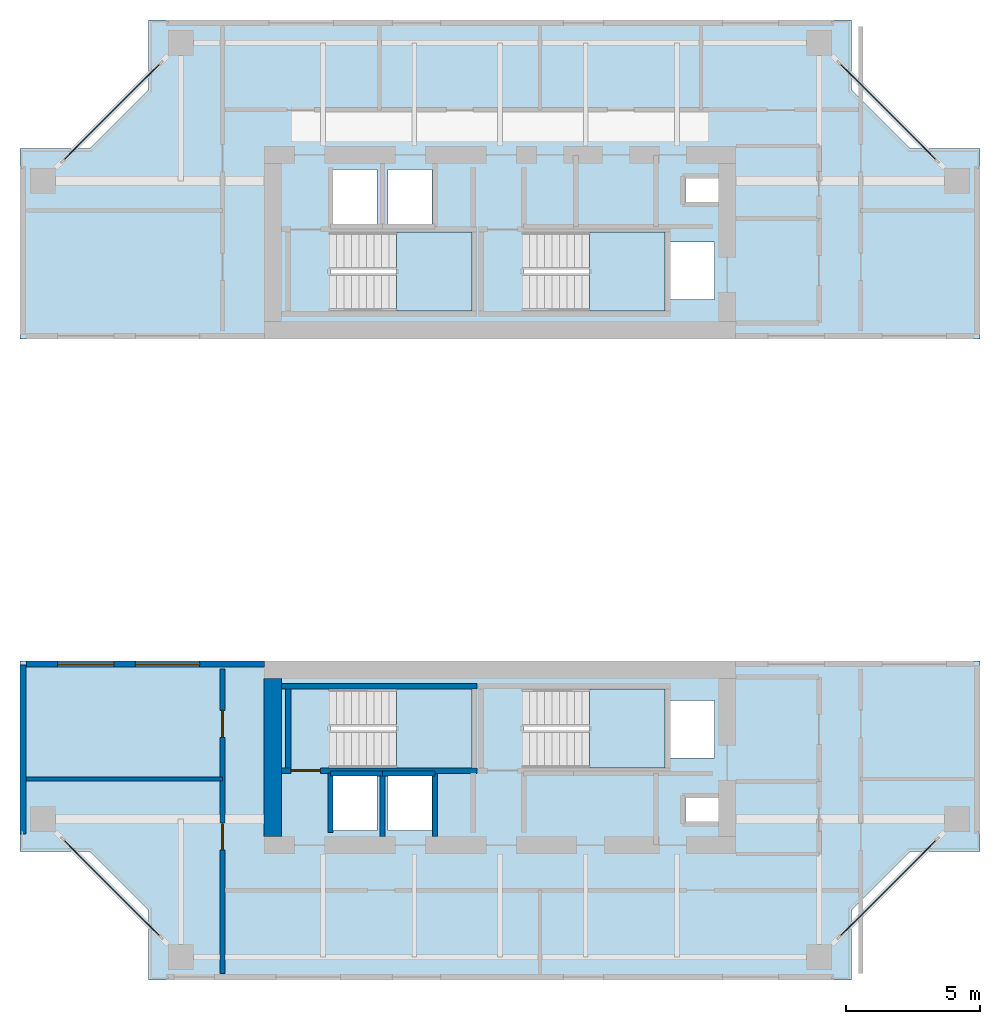
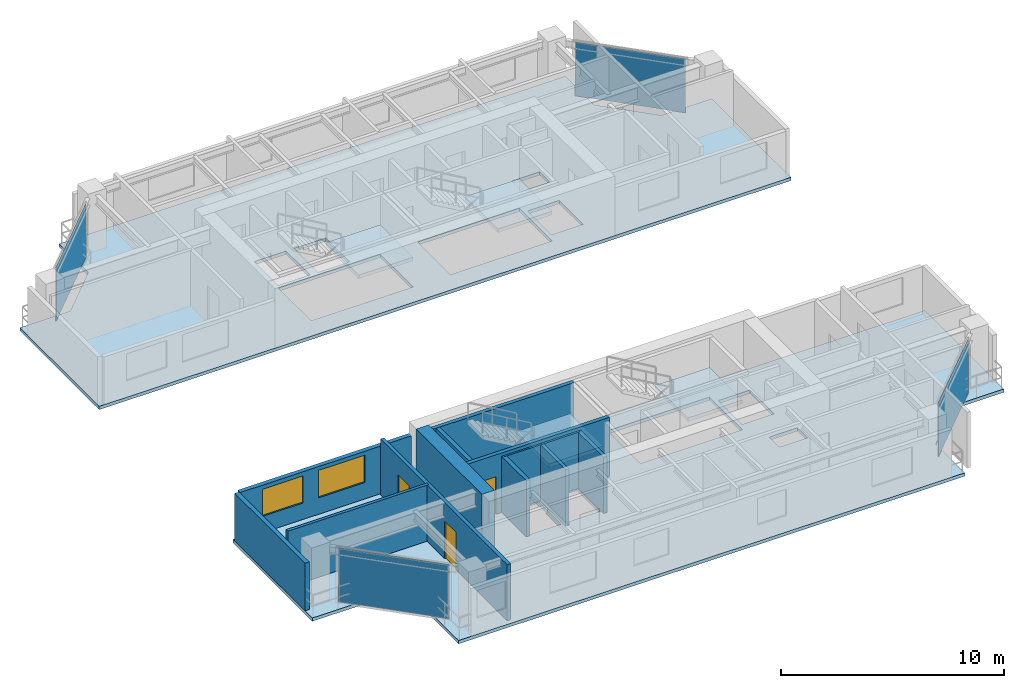
# One storey, part 6 of 12: 13 walls, 6 slabs, 4 plates, 3 doors, 2 windows, 5 openings, 8 elements without a shape of their own.
"""IFC4 building model written with IfcOpenShell, lengths in metres."""

from ifc_helpers import new_model, si_unit, direction, frame, frame_2d, origin, origin_2d, place, context, subcontext, project, spatial, polyline, rectangle, outline, extrude, source, transform, mapped, material, layer, layer_set, type_object, element, fill, aggregate, save


model = new_model("IFC4")

# Units and contexts
model_context = context("Model", 3, precision=1e-05, world=origin(), true_north=direction((0.0, 1.0)))
body_context = subcontext(model_context, "Body", "Model", "MODEL_VIEW")
ifc_project = project(units=[si_unit("LENGTHUNIT", "METRE"), si_unit("AREAUNIT", "SQUARE_METRE"), si_unit("VOLUMEUNIT", "CUBIC_METRE"), si_unit("PLANEANGLEUNIT", "RADIAN"), si_unit("MASSUNIT", "GRAM", prefix="KILO"), si_unit("THERMODYNAMICTEMPERATUREUNIT", "KELVIN"), si_unit("POWERUNIT", "WATT")], contexts=[model_context])

# Site, building, storey
site_placement = place(None, origin())
site = spatial("IfcSite", under=ifc_project, at=site_placement, CompositionType="ELEMENT")
building_placement = place(site_placement, origin())
building = spatial("IfcBuilding", under=site, at=building_placement, Name="Qiaomeng Ring Towers", CompositionType="ELEMENT")
storey_placement = place(building_placement, frame((0.0, 0.0, 166.5)))
storey = spatial("IfcBuildingStorey", under=building, at=storey_placement, Name="L48", CompositionType="ELEMENT", Elevation=166.5)

# Slabs
ifc_material_1 = material(Name="Concrete C40", Category="concrete")
ifc_layer_1 = layer(ifc_material_1, 0.179931640625, Name="Concrete C40")
ifc_layer_set_1 = layer_set([ifc_layer_1], Name="Concrete C40")
slab_type_1 = type_object("IfcSlabType", Name="STR-SL-180", PredefinedType="FLOOR", material=ifc_layer_set_1)
slab_1_placement = place(storey_placement, frame((0.0, 0.0, -0.179931640625)))
element("IfcSlab", 1, at=slab_1_placement, inside=storey, type_object=slab_type_1, Name="L48 Tower 1 North Portal Wing Slab", PredefinedType="FLOOR", context=body_context, shape_type="SweptSolid", body=[
    extrude(outline(polyline([(1.10009765625, 36.10009765625), (3.699951171875, 36.10009765625), (5.89990234375, 38.300048828125), (5.89990234375, 40.89990234375), (32.10009765625, 40.89990234375), (32.10009765625, 38.300048828125), (34.300048828125, 36.10009765625), (36.89990234375, 36.10009765625), (36.89990234375, 29.0), (1.10009765625, 29.0), (1.10009765625, 36.10009765625)]), holes=[polyline([(17.949951171875, 30.050048828125), (12.679931640625, 30.050048828125), (12.679931640625, 32.989990234375), (17.949951171875, 32.989990234375), (17.949951171875, 30.050048828125)]), polyline([(19.8798828125, 30.050048828125), (19.8798828125, 32.989990234375), (25.14990234375, 32.989990234375), (25.14990234375, 30.050048828125), (19.8798828125, 30.050048828125)]), polyline([(25.360107421875, 30.47998046875), (25.360107421875, 32.6201171875), (27.0, 32.6201171875), (27.0, 30.47998046875), (25.360107421875, 30.47998046875)]), polyline([(14.419921875, 33.179931640625), (12.780029296875, 33.179931640625), (12.780029296875, 35.320068359375), (14.419921875, 35.320068359375), (14.419921875, 33.179931640625)]), polyline([(14.830078125, 33.179931640625), (14.830078125, 35.320068359375), (16.469970703125, 35.320068359375), (16.469970703125, 33.179931640625), (14.830078125, 33.179931640625)]), polyline([(25.919921875, 34.10009765625), (25.919921875, 35.0), (27.360107421875, 35.0), (27.360107421875, 34.10009765625), (25.919921875, 34.10009765625)])]), origin(), (0.0, 0.0, 1.0), 0.179931640625),
])
slab_2_placement = place(storey_placement, frame((0.0, 0.0, -0.179931640625)))
element("IfcSlab", 2, at=slab_2_placement, inside=storey, type_object=slab_type_1, Name="L48 Tower 1 South Portal Wing Slab", PredefinedType="FLOOR", context=body_context, shape_type="SweptSolid", body=[
    extrude(outline(polyline([(36.89990234375, 9.89990234375), (34.300048828125, 9.89990234375), (32.10009765625, 7.699951171875), (32.10009765625, 5.10009765625), (5.89990234375, 5.10009765625), (5.89990234375, 7.699951171875), (3.699951171875, 9.89990234375), (1.10009765625, 9.89990234375), (1.10009765625, 17.0), (36.89990234375, 17.0), (36.89990234375, 9.89990234375)]), holes=[polyline([(27.360107421875, 11.0), (25.919921875, 11.0), (25.919921875, 11.89990234375), (27.360107421875, 11.89990234375), (27.360107421875, 11.0)]), polyline([(12.780029296875, 10.679931640625), (12.780029296875, 12.820068359375), (14.419921875, 12.820068359375), (14.419921875, 10.679931640625), (12.780029296875, 10.679931640625)]), polyline([(14.830078125, 10.679931640625), (14.830078125, 12.820068359375), (16.469970703125, 12.820068359375), (16.469970703125, 10.679931640625), (14.830078125, 10.679931640625)]), polyline([(27.0, 13.3798828125), (25.360107421875, 13.3798828125), (25.360107421875, 15.52001953125), (27.0, 15.52001953125), (27.0, 13.3798828125)]), polyline([(12.679931640625, 13.010009765625), (12.679931640625, 15.949951171875), (17.949951171875, 15.949951171875), (17.949951171875, 13.010009765625), (12.679931640625, 13.010009765625)]), polyline([(19.8798828125, 13.010009765625), (19.8798828125, 15.949951171875), (25.14990234375, 15.949951171875), (25.14990234375, 13.010009765625), (19.8798828125, 13.010009765625)])]), origin(), (0.0, 0.0, 1.0), 0.179931640625),
])

# Stair, slab
ifc_material_2 = material(Name="Precast concrete C40", Category="concrete")
stair_type = type_object("IfcStairType", Name="ARC-ST-325", PredefinedType="HALF_TURN_STAIR", material=ifc_material_2)
stair_1_placement = place(storey_placement, origin())
stair_1 = element("IfcStair", 3, at=stair_1_placement, inside=storey, type_object=stair_type, Name="L48 Tower 1 North Stair 1", PredefinedType="HALF_TURN_STAIR")
ifc_layer_2 = layer(ifc_material_1, 0.199951171875, Name="Concrete C40")
ifc_layer_set_2 = layer_set([ifc_layer_2], Name="Concrete C40")
slab_type_2 = type_object("IfcSlabType", Name="STR-SL-LANDING", PredefinedType="LANDING", material=ifc_layer_set_2)
slab_3_placement = place(storey_placement, frame((0.0, 0.0, 1.425048828125)))
slab_3 = element("IfcSlab", 4, at=slab_3_placement, type_object=slab_type_2, Name="ST1 landing 1", PredefinedType="LANDING", context=body_context, shape_type="SweptSolid", body=[
    extrude(outline(polyline([(15.139892578125, 30.050048828125), (17.949951171875, 30.050048828125), (17.949951171875, 32.989990234375), (15.139892578125, 32.989990234375), (15.139892578125, 30.050048828125)])), origin(), (0.0, 0.0, 1.0), 0.199951171875),
])
aggregate(stair_1, [slab_3])

stair_2_placement = place(storey_placement, origin())
stair_2 = element("IfcStair", 5, at=stair_2_placement, inside=storey, type_object=stair_type, Name="L48 Tower 1 North Stair 2", PredefinedType="HALF_TURN_STAIR")
slab_4_placement = place(storey_placement, frame((0.0, 0.0, 1.425048828125)))
slab_4 = element("IfcSlab", 6, at=slab_4_placement, type_object=slab_type_2, Name="ST2 landing 1", PredefinedType="LANDING", context=body_context, shape_type="SweptSolid", body=[
    extrude(outline(polyline([(22.340087890625, 30.050048828125), (25.14990234375, 30.050048828125), (25.14990234375, 32.989990234375), (22.340087890625, 32.989990234375), (22.340087890625, 30.050048828125)])), origin(), (0.0, 0.0, 1.0), 0.199951171875),
])
aggregate(stair_2, [slab_4])

stair_3_placement = place(storey_placement, origin())
stair_3 = element("IfcStair", 7, at=stair_3_placement, inside=storey, type_object=stair_type, Name="L48 Tower 1 South Stair 3", PredefinedType="HALF_TURN_STAIR")
slab_5_placement = place(storey_placement, frame((0.0, 0.0, 1.425048828125)))
slab_5 = element("IfcSlab", 8, at=slab_5_placement, type_object=slab_type_2, Name="ST3 landing 1", PredefinedType="LANDING", context=body_context, shape_type="SweptSolid", body=[
    extrude(outline(polyline([(15.139892578125, 13.010009765625), (17.949951171875, 13.010009765625), (17.949951171875, 15.949951171875), (15.139892578125, 15.949951171875), (15.139892578125, 13.010009765625)])), origin(), (0.0, 0.0, 1.0), 0.199951171875),
])
aggregate(stair_3, [slab_5])

stair_4_placement = place(storey_placement, origin())
stair_4 = element("IfcStair", 9, at=stair_4_placement, inside=storey, type_object=stair_type, Name="L48 Tower 1 South Stair 4", PredefinedType="HALF_TURN_STAIR")
slab_6_placement = place(storey_placement, frame((0.0, 0.0, 1.425048828125)))
slab_6 = element("IfcSlab", 10, at=slab_6_placement, type_object=slab_type_2, Name="ST4 landing 1", PredefinedType="LANDING", context=body_context, shape_type="SweptSolid", body=[
    extrude(outline(polyline([(22.340087890625, 13.010009765625), (25.14990234375, 13.010009765625), (25.14990234375, 15.949951171875), (22.340087890625, 15.949951171875), (22.340087890625, 13.010009765625)])), origin(), (0.0, 0.0, 1.0), 0.199951171875),
])
aggregate(stair_4, [slab_6])

# Curtain wall, plate
ifc_material_3 = material(Name="Fluorocarbon dark-grey aluminium", Category="aluminium")
ifc_layer_3 = layer(ifc_material_3, 0.14990234375, Name="Fluorocarbon dark-grey aluminium")
ifc_layer_set_3 = layer_set([ifc_layer_3], Name="Fluorocarbon dark-grey aluminium")
curtain_wall_type = type_object("IfcCurtainWallType", Name="ARC-CW-3", PredefinedType="NOTDEFINED", material=ifc_layer_set_3)
curtain_wall_1_placement = place(storey_placement, origin())
curtain_wall_1 = element("IfcCurtainWall", 11, at=curtain_wall_1_placement, inside=storey, type_object=curtain_wall_type, Name="L48 Curtain Wall CW3", PredefinedType="NOTDEFINED")
ifc_material_4 = material(Name="Low-E dark-grey laminated double glazing", Category="glass")
ifc_layer_4 = layer(ifc_material_4, 0.028076171875, Name="Low-E dark-grey laminated double glazing")
ifc_layer_set_4 = layer_set([ifc_layer_4], Name="Low-E dark-grey laminated double glazing")
plate_type = type_object("IfcPlateType", Name="ARC-CWP-DARK", PredefinedType="CURTAIN_PANEL", material=ifc_layer_set_4)
shared_shape_1 = source(origin(), body_context, "Body", "SweptSolid", [
    extrude(rectangle(XDim=5.120849609375, YDim=0.028076171875, at=origin_2d()), origin(), (0.0, 0.0, 1.0), 2.93994140625),
])
plate_1_placement = place(storey_placement, frame((33.47509765625, 8.52490234375, 0.06494140625), z_axis=(0.0, 0.0, 1.0), x_axis=(0.707106781187, 0.707106781187, 0.0)))
plate_1 = element("IfcPlate", 12, at=plate_1_placement, type_object=plate_type, Name="CW3 panel 1.1", PredefinedType="CURTAIN_PANEL", context=body_context, shape_type="MappedRepresentation", body=[
    mapped(shared_shape_1, transform((0.0, 0.0, 0.0), x_axis=(1.0, 0.0, 0.0), y_axis=(0.0, 1.0, 0.0), z_axis=(0.0, 0.0, 1.0), scale=1.0)),
])
aggregate(curtain_wall_1, [plate_1])

curtain_wall_2_placement = place(storey_placement, origin())
curtain_wall_2 = element("IfcCurtainWall", 13, at=curtain_wall_2_placement, inside=storey, type_object=curtain_wall_type, Name="L48 Curtain Wall CW3", PredefinedType="NOTDEFINED")
plate_2_placement = place(storey_placement, frame((33.47509765625, 37.47509765625, 0.06494140625), z_axis=(0.0, 0.0, 1.0), x_axis=(-0.707106781187, 0.707106781187, 0.0)))
plate_2 = element("IfcPlate", 14, at=plate_2_placement, type_object=plate_type, Name="CW3 panel 1.1", PredefinedType="CURTAIN_PANEL", context=body_context, shape_type="MappedRepresentation", body=[
    mapped(shared_shape_1, transform((0.0, 0.0, 0.0), x_axis=(1.0, 0.0, 0.0), y_axis=(0.0, 1.0, 0.0), z_axis=(0.0, 0.0, 1.0), scale=1.0)),
])
aggregate(curtain_wall_2, [plate_2])

curtain_wall_3_placement = place(storey_placement, origin())
curtain_wall_3 = element("IfcCurtainWall", 15, at=curtain_wall_3_placement, inside=storey, type_object=curtain_wall_type, Name="L48 Curtain Wall CW3", PredefinedType="NOTDEFINED")
plate_3_placement = place(storey_placement, frame((4.52490234375, 37.47509765625, 0.06494140625), z_axis=(0.0, 0.0, 1.0), x_axis=(-0.707106781187, -0.707106781187, 0.0)))
plate_3 = element("IfcPlate", 16, at=plate_3_placement, type_object=plate_type, Name="CW3 panel 1.1", PredefinedType="CURTAIN_PANEL", context=body_context, shape_type="MappedRepresentation", body=[
    mapped(shared_shape_1, transform((0.0, 0.0, 0.0), x_axis=(1.0, 0.0, 0.0), y_axis=(0.0, 1.0, 0.0), z_axis=(0.0, 0.0, 1.0), scale=1.0)),
])
aggregate(curtain_wall_3, [plate_3])

curtain_wall_4_placement = place(storey_placement, origin())
curtain_wall_4 = element("IfcCurtainWall", 17, at=curtain_wall_4_placement, inside=storey, type_object=curtain_wall_type, Name="L48 Curtain Wall CW3", PredefinedType="NOTDEFINED")
plate_4_placement = place(storey_placement, frame((4.52490234375, 8.52490234375, 0.06494140625), z_axis=(0.0, 0.0, 1.0), x_axis=(0.707106781187, -0.707106781187, 0.0)))
plate_4 = element("IfcPlate", 18, at=plate_4_placement, type_object=plate_type, Name="CW3 panel 1.1", PredefinedType="CURTAIN_PANEL", context=body_context, shape_type="MappedRepresentation", body=[
    mapped(shared_shape_1, transform((0.0, 0.0, 0.0), x_axis=(1.0, 0.0, 0.0), y_axis=(0.0, 1.0, 0.0), z_axis=(0.0, 0.0, 1.0), scale=1.0)),
])
aggregate(curtain_wall_4, [plate_4])

# Wall, openings, windows
ifc_layer_5 = layer(ifc_material_2, 0.219970703125, Name="Precast concrete C40")
ifc_layer_set_5 = layer_set([ifc_layer_5], Name="Precast concrete C40")
wall_type_1 = type_object("IfcWallType", Name="ARC-WL-EW2", PredefinedType="STANDARD", material=ifc_layer_set_5)
wall_1_placement = place(storey_placement, frame((1.35009765625, 16.889892578125, 0.0), z_axis=(0.0, 0.0, 1.0), x_axis=(1.0, 0.0, 0.0)))
wall_1 = element("IfcWall", 19, at=wall_1_placement, inside=storey, type_object=wall_type_1, Name="L48 Portal Wing Wall SWING-W", PredefinedType="STANDARD", context=body_context, shape_type="SweptSolid", body=[
    extrude(rectangle(XDim=8.869873046875, YDim=0.219970703125, at=frame_2d((4.43505859375, 0.0))), origin(), (0.0, 0.0, 1.0), 2.610107421875),
])
opening_1_placement = place(wall_1_placement, frame((1.14990234375, 0.0, 0.89990234375)))
opening_1 = element("IfcOpeningElement", 20, at=opening_1_placement, cuts=wall_1, Name="Opening WN4", PredefinedType="OPENING", context=body_context, shape_type="SweptSolid", body=[
    extrude(rectangle(XDim=2.10009765625, YDim=1.47998046875, at=frame_2d((1.050048828125, 0.739990234375))), frame((0.0, 0.119873046875, 0.0), z_axis=(0.0, -1.0, 0.0), x_axis=(1.0, 0.0, 0.0)), (0.0, 0.0, 1.0), 0.239990234375),
])
opening_2_placement = place(wall_1_placement, frame((4.050048828125, 0.0, 0.89990234375)))
opening_2 = element("IfcOpeningElement", 21, at=opening_2_placement, cuts=wall_1, Name="Opening WN6", PredefinedType="OPENING", context=body_context, shape_type="SweptSolid", body=[
    extrude(rectangle(XDim=2.39990234375, YDim=1.5, at=frame_2d((1.199951171875, 0.75))), frame((0.0, 0.119873046875, 0.0), z_axis=(0.0, -1.0, 0.0), x_axis=(1.0, 0.0, 0.0)), (0.0, 0.0, 1.0), 0.239990234375),
])
window_type_1 = type_object("IfcWindowType", Name="ARC-WN-4", PartitioningType="TRIPLE_PANEL_VERTICAL", PredefinedType="WINDOW", material=ifc_material_4)
shared_shape_2 = source(origin(), body_context, "Body", "SweptSolid", [
    extrude(rectangle(XDim=2.10009765625, YDim=1.47998046875, at=frame_2d((1.050048828125, 0.739990234375))), frame((0.0, 0.030029296875, 0.0), z_axis=(0.0, -1.0, 0.0), x_axis=(1.0, 0.0, 0.0)), (0.0, 0.0, 1.0), 0.06005859375),
])
window_1_placement = place(opening_1_placement, origin())
window_1 = element("IfcWindow", 22, at=window_1_placement, inside=storey, type_object=window_type_1, Name="L48 Exterior Window WN4", OverallHeight=1.47998046875, OverallWidth=2.10009765625, PartitioningType="TRIPLE_PANEL_VERTICAL", PredefinedType="WINDOW", context=body_context, shape_type="MappedRepresentation", body=[
    mapped(shared_shape_2, transform((0.0, 0.0, 0.0), x_axis=(1.0, 0.0, 0.0), y_axis=(0.0, 1.0, 0.0), z_axis=(0.0, 0.0, 1.0), scale=1.0)),
])
fill(opening_1, window_1)
window_type_2 = type_object("IfcWindowType", Name="ARC-WN-6", PartitioningType="TRIPLE_PANEL_VERTICAL", PredefinedType="WINDOW", material=ifc_material_4)
shared_shape_3 = source(origin(), body_context, "Body", "SweptSolid", [
    extrude(rectangle(XDim=2.39990234375, YDim=1.5, at=frame_2d((1.199951171875, 0.75))), frame((0.0, 0.030029296875, 0.0), z_axis=(0.0, -1.0, 0.0), x_axis=(1.0, 0.0, 0.0)), (0.0, 0.0, 1.0), 0.06005859375),
])
window_2_placement = place(opening_2_placement, origin())
window_2 = element("IfcWindow", 23, at=window_2_placement, inside=storey, type_object=window_type_2, Name="L48 Exterior Window WN6", OverallHeight=1.5, OverallWidth=2.39990234375, PartitioningType="TRIPLE_PANEL_VERTICAL", PredefinedType="WINDOW", context=body_context, shape_type="MappedRepresentation", body=[
    mapped(shared_shape_3, transform((0.0, 0.0, 0.0), x_axis=(1.0, 0.0, 0.0), y_axis=(0.0, 1.0, 0.0), z_axis=(0.0, 0.0, 1.0), scale=1.0)),
])
fill(opening_2, window_2)

# Walls
wall_2_placement = place(storey_placement, frame((1.2099609375, 10.550048828125, 0.0), z_axis=(0.0, 0.0, 1.0), x_axis=(0.0, 1.0, 0.0)))
element("IfcWall", 24, at=wall_2_placement, inside=storey, type_object=wall_type_1, Name="L48 Portal Wing Side Wall SWING-WL", PredefinedType="STANDARD", context=body_context, shape_type="SweptSolid", body=[
    extrude(rectangle(XDim=6.300048828125, YDim=0.219970703125, at=frame_2d((3.14990234375, 0.0))), origin(), (0.0, 0.0, 1.0), 2.610107421875),
])
ifc_material_5 = material(Name="Autoclaved aerated concrete block", Category="concrete")
ifc_layer_6 = layer(ifc_material_5, 0.199951171875, Name="Autoclaved aerated concrete block")
ifc_layer_set_6 = layer_set([ifc_layer_6], Name="Autoclaved aerated concrete block")
wall_type_2 = type_object("IfcWallType", Name="ARC-WL-PW1", PredefinedType="PARTITIONING", material=ifc_layer_set_6)
wall_3_placement = place(storey_placement, frame((12.679931640625, 10.60009765625, 0.0), z_axis=(0.0, 0.0, 1.0), x_axis=(0.0, 1.0, 0.0)))
element("IfcWall", 25, at=wall_3_placement, inside=storey, type_object=wall_type_2, Name="L48 Interior Wall PW1", PredefinedType="PARTITIONING", context=body_context, shape_type="SweptSolid", body=[
    extrude(rectangle(XDim=2.2099609375, YDim=0.199951171875, at=frame_2d((1.10498046875, 0.0))), origin(), (0.0, 0.0, 1.0), 3.070068359375),
])

# Wall, openings, doors
ifc_layer_7 = layer(ifc_material_5, 0.179931640625, Name="Autoclaved aerated concrete block")
ifc_layer_set_7 = layer_set([ifc_layer_7], Name="Autoclaved aerated concrete block")
wall_type_3 = type_object("IfcWallType", Name="ARC-WL-PW2", PredefinedType="PARTITIONING", material=ifc_layer_set_7)
wall_4_placement = place(storey_placement, frame((8.64990234375, 5.35009765625, 0.0), z_axis=(0.0, 0.0, 1.0), x_axis=(0.0, 1.0, 0.0)))
wall_4 = element("IfcWall", 26, at=wall_4_placement, inside=storey, type_object=wall_type_3, Name="L48 Interior Wall PW2", PredefinedType="PARTITIONING", context=body_context, shape_type="SweptSolid", body=[
    extrude(rectangle(XDim=11.349853515625, YDim=0.179931640625, at=frame_2d((5.6748046875, 0.0))), origin(), (0.0, 0.0, 1.0), 3.070068359375),
])
opening_3_placement = place(wall_4_placement, frame((4.60009765625, 0.0, 0.0)))
opening_3 = element("IfcOpeningElement", 27, at=opening_3_placement, cuts=wall_4, Name="Opening FD4", PredefinedType="OPENING", context=body_context, shape_type="SweptSolid", body=[
    extrude(rectangle(XDim=1.0, YDim=2.050048828125, at=frame_2d((0.5, 1.02490234375))), frame((0.0, 0.099853515625, 0.0), z_axis=(0.0, -1.0, 0.0), x_axis=(1.0, 0.0, 0.0)), (0.0, 0.0, 1.0), 0.199951171875),
])
opening_4_placement = place(wall_4_placement, frame((8.800048828125, 0.0, 0.0)))
opening_4 = element("IfcOpeningElement", 28, at=opening_4_placement, cuts=wall_4, Name="Opening FD4", PredefinedType="OPENING", context=body_context, shape_type="SweptSolid", body=[
    extrude(rectangle(XDim=1.0, YDim=2.050048828125, at=frame_2d((0.5, 1.02490234375))), frame((0.0, 0.099853515625, 0.0), z_axis=(0.0, -1.0, 0.0), x_axis=(1.0, 0.0, 0.0)), (0.0, 0.0, 1.0), 0.199951171875),
])
ifc_material_6 = material(Name="Engineered fire-rated oak timber", Category="wood")
door_type_1 = type_object("IfcDoorType", Name="ARC-DR-FD4", OperationType="NOTDEFINED", PredefinedType="DOOR", material=ifc_material_6)
shared_shape_4 = source(origin(), body_context, "Body", "SweptSolid", [
    extrude(rectangle(XDim=1.0, YDim=2.050048828125, at=frame_2d((0.5, 1.02490234375))), frame((0.0, 0.02490234375, 0.0), z_axis=(0.0, -1.0, 0.0), x_axis=(1.0, 0.0, 0.0)), (0.0, 0.0, 1.0), 0.050048828125),
])
door_1_placement = place(opening_3_placement, origin())
door_1 = element("IfcDoor", 29, at=door_1_placement, inside=storey, type_object=door_type_1, Name="L48 Door FD4", OperationType="SINGLE_SWING_RIGHT", OverallHeight=2.050048828125, OverallWidth=1.0, PredefinedType="DOOR", context=body_context, shape_type="MappedRepresentation", body=[
    mapped(shared_shape_4, transform((0.0, 0.0, 0.0), x_axis=(1.0, 0.0, 0.0), y_axis=(0.0, 1.0, 0.0), z_axis=(0.0, 0.0, 1.0), scale=1.0)),
])
fill(opening_3, door_1)
door_2_placement = place(opening_4_placement, origin())
door_2 = element("IfcDoor", 30, at=door_2_placement, inside=storey, type_object=door_type_1, Name="L48 Door FD4", OperationType="SINGLE_SWING_LEFT", OverallHeight=2.050048828125, OverallWidth=1.0, PredefinedType="DOOR", context=body_context, shape_type="MappedRepresentation", body=[
    mapped(shared_shape_4, transform((0.0, 0.0, 0.0), x_axis=(1.0, 0.0, 0.0), y_axis=(0.0, 1.0, 0.0), z_axis=(0.0, 0.0, 1.0), scale=1.0)),
])
fill(opening_4, door_2)

# Walls
ifc_material_7 = material(Name="Gypsum fireboard steel-stud partition", Category="steel")
ifc_layer_8 = layer(ifc_material_7, 0.14990234375, Name="Gypsum fireboard steel-stud partition")
ifc_layer_set_8 = layer_set([ifc_layer_8], Name="Gypsum fireboard steel-stud partition")
wall_type_4 = type_object("IfcWallType", Name="ARC-WL-PW3", PredefinedType="PARTITIONING", material=ifc_layer_set_8)
wall_5_placement = place(storey_placement, frame((1.35009765625, 12.60009765625, 0.0), z_axis=(0.0, 0.0, 1.0), x_axis=(1.0, 0.0, 0.0)))
element("IfcWall", 31, at=wall_5_placement, inside=storey, type_object=wall_type_4, Name="L48 Interior Wall PW3", PredefinedType="PARTITIONING", context=body_context, shape_type="SweptSolid", body=[
    extrude(rectangle(XDim=7.2998046875, YDim=0.14990234375, at=frame_2d((3.64990234375, 0.0))), origin(), (0.0, 0.0, 1.0), 3.070068359375),
])
ifc_layer_9 = layer(ifc_material_1, 0.199951171875, Name="Concrete C40")
ifc_layer_set_9 = layer_set([ifc_layer_9], Name="Concrete C40")
wall_type_5 = type_object("IfcWallType", Name="STR-WL-STSHAFT", PredefinedType="SHEAR", material=ifc_layer_set_9)
wall_6_placement = place(storey_placement, frame((12.679931640625, 12.800048828125, 0.0), z_axis=(0.0, 0.0, 1.0), x_axis=(1.0, 0.0, 0.0)))
element("IfcWall", 32, at=wall_6_placement, inside=storey, type_object=wall_type_5, Name="L48 Lift LP6 Shaft Back Wall", PredefinedType="SHEAR", context=body_context, shape_type="SweptSolid", body=[
    extrude(rectangle(XDim=1.940185546875, YDim=0.179931640625, at=frame_2d((0.97021484375, 0.0))), origin(), (0.0, 0.0, 1.0), 3.070068359375),
])
wall_7_placement = place(storey_placement, frame((14.6201171875, 10.449951171875, 0.0), z_axis=(0.0, 0.0, 1.0), x_axis=(0.0, 1.0, 0.0)))
element("IfcWall", 33, at=wall_7_placement, inside=storey, type_object=wall_type_5, Name="L48 Lift LP6-LP4 Shaft Divider Wall", PredefinedType="SHEAR", context=body_context, shape_type="SweptSolid", body=[
    extrude(rectangle(XDim=2.35009765625, YDim=0.179931640625, at=frame_2d((1.175048828125, 0.0))), origin(), (0.0, 0.0, 1.0), 3.070068359375),
])
wall_8_placement = place(storey_placement, frame((14.6201171875, 12.800048828125, 0.0), z_axis=(0.0, 0.0, 1.0), x_axis=(1.0, 0.0, 0.0)))
element("IfcWall", 34, at=wall_8_placement, inside=storey, type_object=wall_type_5, Name="L48 Lift LP4 Shaft Back Wall", PredefinedType="SHEAR", context=body_context, shape_type="SweptSolid", body=[
    extrude(rectangle(XDim=1.9599609375, YDim=0.179931640625, at=frame_2d((0.97998046875, 0.0))), origin(), (0.0, 0.0, 1.0), 3.070068359375),
])
wall_9_placement = place(storey_placement, frame((16.580078125, 10.449951171875, 0.0), z_axis=(0.0, 0.0, 1.0), x_axis=(0.0, 1.0, 0.0)))
element("IfcWall", 35, at=wall_9_placement, inside=storey, type_object=wall_type_5, Name="L48 Lift LP4 East Shaft Wall", PredefinedType="SHEAR", context=body_context, shape_type="SweptSolid", body=[
    extrude(rectangle(XDim=2.35009765625, YDim=0.179931640625, at=frame_2d((1.175048828125, 0.0))), origin(), (0.0, 0.0, 1.0), 3.070068359375),
])

# Wall, opening, door
wall_10_placement = place(storey_placement, frame((10.85009765625, 12.909912109375, 0.0), z_axis=(0.0, 0.0, 1.0), x_axis=(1.0, 0.0, 0.0)))
wall_10 = element("IfcWall", 36, at=wall_10_placement, inside=storey, type_object=wall_type_5, Name="L48 Stair ST3 South Shaft Shear Wall", PredefinedType="SHEAR", context=body_context, shape_type="SweptSolid", body=[
    extrude(rectangle(XDim=7.2998046875, YDim=0.199951171875, at=frame_2d((3.64990234375, 0.0))), origin(), (0.0, 0.0, 1.0), 3.25),
])
opening_5_placement = place(wall_10_placement, frame((0.35009765625, 0.0, 0.0)))
opening_5 = element("IfcOpeningElement", 37, at=opening_5_placement, cuts=wall_10, Name="Opening FD3", PredefinedType="OPENING", context=body_context, shape_type="SweptSolid", body=[
    extrude(rectangle(XDim=1.10009765625, YDim=2.050048828125, at=frame_2d((0.550048828125, 1.02490234375))), frame((0.0, 0.10986328125, 0.0), z_axis=(0.0, -1.0, 0.0), x_axis=(1.0, 0.0, 0.0)), (0.0, 0.0, 1.0), 0.219970703125),
])
ifc_material_8 = material(Name="Galvanised steel", Category="steel")
door_type_2 = type_object("IfcDoorType", Name="ARC-DR-FD3", OperationType="NOTDEFINED", PredefinedType="DOOR", material=ifc_material_8)
shared_shape_5 = source(origin(), body_context, "Body", "SweptSolid", [
    extrude(rectangle(XDim=1.10009765625, YDim=2.050048828125, at=frame_2d((0.550048828125, 1.02490234375))), frame((0.0, 0.02490234375, 0.0), z_axis=(0.0, -1.0, 0.0), x_axis=(1.0, 0.0, 0.0)), (0.0, 0.0, 1.0), 0.050048828125),
])
door_3_placement = place(opening_5_placement, frame((1.10009765625, 0.0, 0.0), z_axis=(0.0, 0.0, 1.0), x_axis=(-1.0, 0.0, 0.0)))
door_3 = element("IfcDoor", 38, at=door_3_placement, inside=storey, type_object=door_type_2, Name="L48 Stair ST3 Exit Door", OperationType="SINGLE_SWING_RIGHT", OverallHeight=2.050048828125, OverallWidth=1.10009765625, PredefinedType="DOOR", context=body_context, shape_type="MappedRepresentation", body=[
    mapped(shared_shape_5, transform((0.0, 0.0, 0.0), x_axis=(1.0, 0.0, 0.0), y_axis=(0.0, 1.0, 0.0), z_axis=(0.0, 0.0, 1.0), scale=1.0)),
])
fill(opening_5, door_3)

# Walls
wall_11_placement = place(storey_placement, frame((10.85009765625, 16.050048828125, 0.0), z_axis=(0.0, 0.0, 1.0), x_axis=(1.0, 0.0, 0.0)))
element("IfcWall", 39, at=wall_11_placement, inside=storey, type_object=wall_type_5, Name="L48 Stair ST3 North Shaft Shear Wall", PredefinedType="SHEAR", context=body_context, shape_type="SweptSolid", body=[
    extrude(rectangle(XDim=7.2998046875, YDim=0.199951171875, at=frame_2d((3.64990234375, 0.0))), origin(), (0.0, 0.0, 1.0), 3.25),
])
wall_12_placement = place(storey_placement, frame((11.10009765625, 13.010009765625, 0.0), z_axis=(0.0, 0.0, 1.0), x_axis=(0.0, 1.0, 0.0)))
element("IfcWall", 40, at=wall_12_placement, inside=storey, type_object=wall_type_5, Name="L48 Stair ST3 West Shaft Shear Wall", PredefinedType="SHEAR", context=body_context, shape_type="SweptSolid", body=[
    extrude(rectangle(XDim=2.93994140625, YDim=0.199951171875, at=frame_2d((1.469970703125, 0.0))), origin(), (0.0, 0.0, 1.0), 3.25),
])
ifc_material_9 = material(Name="Concrete C50", Category="concrete")
ifc_layer_10 = layer(ifc_material_9, 0.64990234375, Name="Concrete C50")
ifc_layer_set_10 = layer_set([ifc_layer_10], Name="Concrete C50")
wall_type_6 = type_object("IfcWallType", Name="STR-WL-SW2B", PredefinedType="SHEAR", material=ifc_layer_set_10)
wall_13_placement = place(storey_placement, frame((10.52490234375, 10.449951171875, 0.0), z_axis=(0.0, 0.0, 1.0), x_axis=(0.0, 1.0, 0.0)))
element("IfcWall", 41, at=wall_13_placement, inside=storey, type_object=wall_type_6, Name="L48 T1SC west core shear wall", PredefinedType="SHEAR", context=body_context, shape_type="SweptSolid", body=[
    extrude(rectangle(XDim=5.900146484375, YDim=0.64990234375, at=frame_2d((2.9501953125, 0.0))), origin(), (0.0, 0.0, 1.0), 3.25),
])

save(model, "model.ifc")
